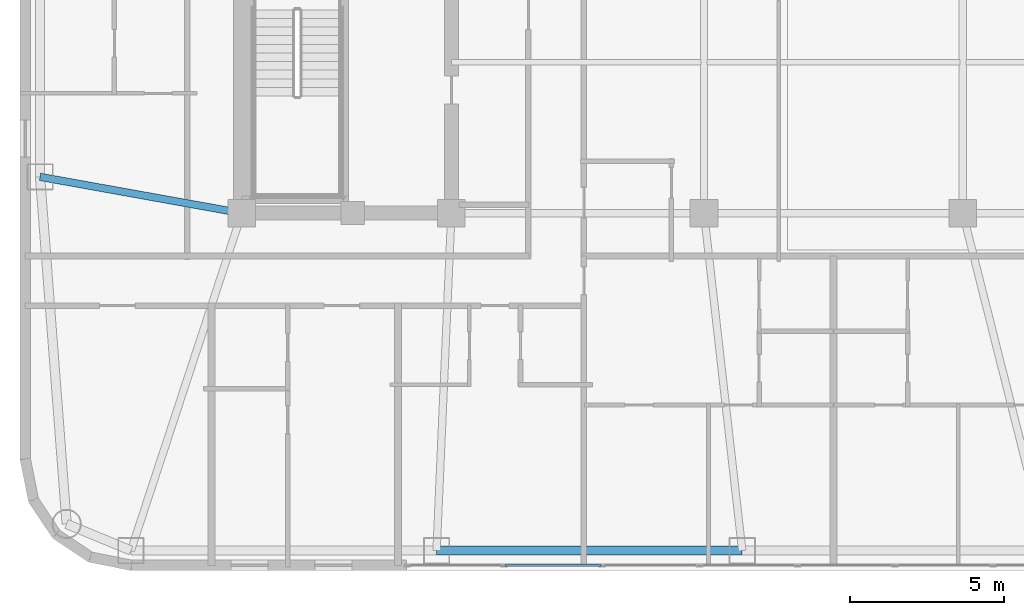
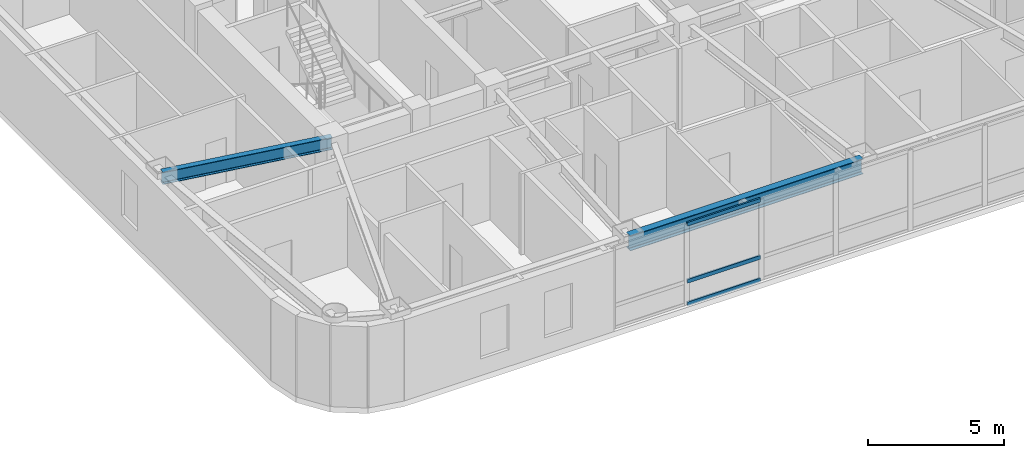
# One storey, part 3 of 16: 3 members, 2 beams, 1 element without a shape of its own.
"""IFC4 building model written with IfcOpenShell, lengths in metres."""

from ifc_helpers import new_model, si_unit, direction, frame, origin, origin_2d, place, context, subcontext, project, spatial, hollow_rectangle, i_section, extrude, material, layer, layer_set, material_profile, profile_set, type_object, element, aggregate, save


model = new_model("IFC4")

# Units and contexts
model_context = context("Model", 3, precision=1e-05, world=origin(), true_north=direction((0.0, 1.0)))
body_context = subcontext(model_context, "Body", "Model", "MODEL_VIEW")
ifc_project = project(units=[si_unit("LENGTHUNIT", "METRE"), si_unit("AREAUNIT", "SQUARE_METRE"), si_unit("VOLUMEUNIT", "CUBIC_METRE"), si_unit("PLANEANGLEUNIT", "RADIAN"), si_unit("MASSUNIT", "GRAM", prefix="KILO")], contexts=[model_context])

# Site, building, storey
site_placement = place(None, origin())
site = spatial("IfcSite", under=ifc_project, at=site_placement, CompositionType="ELEMENT")
building_placement = place(site_placement, origin())
building = spatial("IfcBuilding", under=site, at=building_placement, Name="Voryun Gate Residences", CompositionType="ELEMENT")
storey_placement = place(building_placement, frame((0.0, 0.0, 208.0)))
storey = spatial("IfcBuildingStorey", under=building, at=storey_placement, Name="L51", CompositionType="ELEMENT", Elevation=208.0)

# Beams
ifc_material_1 = material(Name="Steel SM355", Category="steel")
ifc_material_profile_1 = material_profile(ifc_material_1, i_section(OverallWidth=0.300048828125, OverallDepth=0.679931640625, WebThickness=0.013916015625, FlangeThickness=0.02490234375, FilletRadius=0.01806640625, at=origin_2d()), Name="H-680x300x14x25")
ifc_profile_set_1 = profile_set([ifc_material_profile_1], Name="Steel SM355")
beam_type_1 = type_object("IfcBeamType", Name="BM_EXO_SPANDREL_M", PredefinedType="SPANDREL", material=ifc_profile_set_1)
beam_1_placement = place(storey_placement, frame((-12.8798828125, -18.35009765625, 3.31005859375), z_axis=(1.0, 0.0, 0.0), x_axis=(0.0, 1.0, 0.0)))
element("IfcBeam", 1, at=beam_1_placement, inside=storey, type_object=beam_type_1, Name="BM-L51-SPAND-02", PredefinedType="SPANDREL", context=body_context, shape_type="SweptSolid", body=[
    extrude(i_section(OverallWidth=0.300048828125, OverallDepth=0.679931640625, WebThickness=0.013916015625, FlangeThickness=0.02490234375, FilletRadius=0.01806640625, at=origin_2d()), origin(), (0.0, 0.0, 1.0), 9.919921875),
])
ifc_material_2 = material(Name="Steel SM355", Category="steel")
ifc_material_profile_2 = material_profile(ifc_material_2, i_section(OverallWidth=0.239990234375, OverallDepth=0.550048828125, WebThickness=0.011962890625, FlangeThickness=0.02001953125, FilletRadius=0.01806640625, at=origin_2d()), Name="H-550x240x12x20")
ifc_profile_set_2 = profile_set([ifc_material_profile_2], Name="Steel SM355")
beam_type_2 = type_object("IfcBeamType", Name="BM_GIRD_550", PredefinedType="USERDEFINED", material=ifc_profile_set_2)
beam_2_placement = place(storey_placement, frame((-19.199951171875, -7.39990234375, 3.375), z_axis=(-0.984210303638, 0.177003045773, 0.0), x_axis=(-0.177003045773, -0.984210303638, 0.0)))
element("IfcBeam", 2, at=beam_2_placement, inside=storey, type_object=beam_type_2, Name="BM-L51-RAD-W2", ObjectType="GIRDER", PredefinedType="USERDEFINED", context=body_context, shape_type="SweptSolid", body=[
    extrude(i_section(OverallWidth=0.239990234375, OverallDepth=0.550048828125, WebThickness=0.011962890625, FlangeThickness=0.02001953125, FilletRadius=0.01806640625, at=origin_2d()), origin(), (0.0, 0.0, 1.0), 6.655029296875),
])

# Curtain wall, members
ifc_material_3 = material(Name="Anodised aluminium", Category="aluminium")
ifc_layer = layer(ifc_material_3, 0.2099609375, Name="CW_SYS_SKYGARDEN_DARK_GLASS")
ifc_layer_set = layer_set([ifc_layer], Name="Anodised aluminium")
curtain_wall_type = type_object("IfcCurtainWallType", Name="CW_SYS_SKYGARDEN_DARK_GLASS", PredefinedType="NOTDEFINED", material=ifc_layer_set)
curtain_wall_placement = place(storey_placement, origin())
curtain_wall = element("IfcCurtainWall", 3, at=curtain_wall_placement, inside=storey, type_object=curtain_wall_type, Name="Curtain wall CW5-L51-SG-01", PredefinedType="NOTDEFINED")
ifc_material_4 = material(Name="Anodised aluminium", Category="aluminium")
ifc_material_profile_3 = material_profile(ifc_material_4, hollow_rectangle(XDim=0.074951171875, YDim=0.169921875, WallThickness=0.0048828125, at=origin_2d()), Name="ALU-TRAN-170x75x5")
ifc_profile_set_3 = profile_set([ifc_material_profile_3], Name="Anodised aluminium")
member_type = type_object("IfcMemberType", Name="CW_TRAN_SKY", PredefinedType="USERDEFINED", material=ifc_profile_set_3)
member_1_placement = place(storey_placement, frame((-7.546875, -18.830078125, 0.030029296875), z_axis=(-1.0, 0.0, 0.0), x_axis=(0.0, -1.0, 0.0)))
member_1 = element("IfcMember", 4, at=member_1_placement, type_object=member_type, Name="CW5 transom 9.1", ObjectType="TRANSOM", PredefinedType="USERDEFINED", context=body_context, shape_type="SweptSolid", body=[
    extrude(hollow_rectangle(XDim=0.074951171875, YDim=0.169921875, WallThickness=0.0048828125, at=origin_2d()), origin(), (0.0, 0.0, 1.0), 3.112060546875),
])
member_2_placement = place(storey_placement, frame((-7.546875, -18.830078125, 1.050048828125), z_axis=(-1.0, 0.0, 0.0), x_axis=(0.0, -1.0, 0.0)))
member_2 = element("IfcMember", 5, at=member_2_placement, type_object=member_type, Name="CW5 transom 9.2", ObjectType="TRANSOM", PredefinedType="USERDEFINED", context=body_context, shape_type="SweptSolid", body=[
    extrude(hollow_rectangle(XDim=0.074951171875, YDim=0.169921875, WallThickness=0.0048828125, at=origin_2d()), origin(), (0.0, 0.0, 1.0), 3.112060546875),
])
member_3_placement = place(storey_placement, frame((-7.546875, -18.830078125, 3.6201171875), z_axis=(-1.0, 0.0, 0.0), x_axis=(0.0, -1.0, 0.0)))
member_3 = element("IfcMember", 6, at=member_3_placement, type_object=member_type, Name="CW5 transom 9.3", ObjectType="TRANSOM", PredefinedType="USERDEFINED", context=body_context, shape_type="SweptSolid", body=[
    extrude(hollow_rectangle(XDim=0.074951171875, YDim=0.169921875, WallThickness=0.0048828125, at=origin_2d()), origin(), (0.0, 0.0, 1.0), 3.112060546875),
])
aggregate(curtain_wall, [member_1, member_2, member_3])

save(model, "model.ifc")
